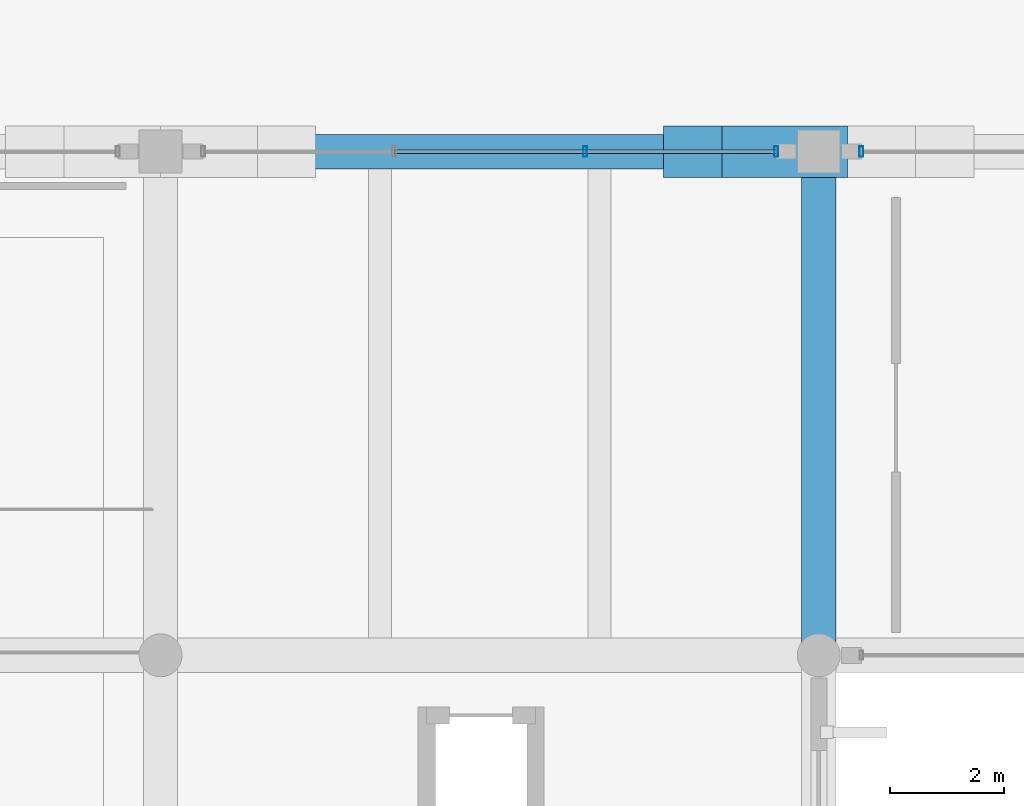
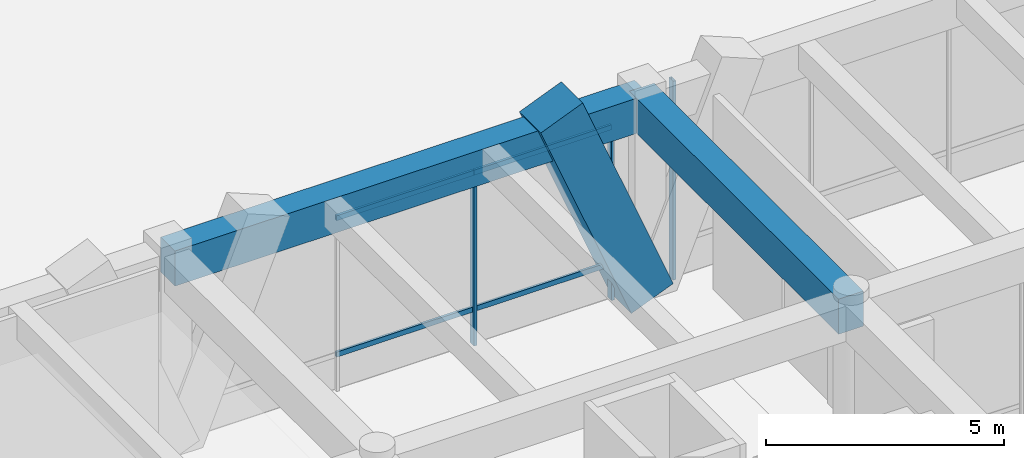
# One storey, part 46 of 148: 8 members, 2 beams, 2 elements without a shape of their own.
"""IFC4 building model written with IfcOpenShell, lengths in metres."""

from ifc_helpers import new_model, si_unit, direction, frame, origin, origin_2d, place, context, subcontext, project, spatial, rectangle, hollow_rectangle, extrude, material, material_profile, profile_set, type_object, element, aggregate, save


model = new_model("IFC4")

# Units and contexts
model_context = context("Model", 3, precision=1e-05, world=origin(), true_north=direction((0.0, 1.0)))
body_context = subcontext(model_context, "Body", "Model", "MODEL_VIEW")
ifc_project = project(units=[si_unit("LENGTHUNIT", "METRE"), si_unit("AREAUNIT", "SQUARE_METRE"), si_unit("VOLUMEUNIT", "CUBIC_METRE"), si_unit("PLANEANGLEUNIT", "RADIAN"), si_unit("MASSUNIT", "GRAM", prefix="KILO")], contexts=[model_context])

# Site, building, storey
site_placement = place(None, origin())
site = spatial("IfcSite", under=ifc_project, at=site_placement, CompositionType="ELEMENT")
building_placement = place(site_placement, origin())
building = spatial("IfcBuilding", under=site, at=building_placement, Name="Ologun Quay Terminus", CompositionType="ELEMENT")
storey_placement = place(building_placement, frame((0.0, 0.0, 8.39990234375)))
storey = spatial("IfcBuildingStorey", under=building, at=storey_placement, Name="L02", CompositionType="ELEMENT", Elevation=8.39990234375)

# Curtain wall, members
ifc_material_1 = material(Name="Aluminium 6063-T6", Category="aluminium")
curtain_wall_type = type_object("IfcCurtainWallType", Name="Train Shed South Clerestory Curtain Wall 10700x5050", PredefinedType="USERDEFINED", material=ifc_material_1)
curtain_wall_1_placement = place(storey_placement, origin())
curtain_wall_1 = element("IfcCurtainWall", 1, at=curtain_wall_1_placement, inside=storey, type_object=curtain_wall_type, Name="CW-08 Curtain Wall CW-L02-064", ObjectType="UNITISED CURTAIN WALL", PredefinedType="USERDEFINED")
ifc_material_2 = material(Name="Aluminium 6063-T6", Category="aluminium")
ifc_material_profile_1 = material_profile(ifc_material_2, hollow_rectangle(XDim=0.070068359375, YDim=0.179931640625, WallThickness=0.0048828125, at=origin_2d()), Name="ALU 180x70x5")
ifc_profile_set_1 = profile_set([ifc_material_profile_1], Name="Aluminium 6063-T6")
member_type_1 = type_object("IfcMemberType", Name="Concourse Clerestory Mullion 180x70", PredefinedType="MULLION", material=ifc_profile_set_1)
member_1_placement = place(storey_placement, frame((122.418212890625, 36.0, 0.0), z_axis=(0.0, 0.0, 1.0), x_axis=(1.0, 0.0, 0.0)))
member_1 = element("IfcMember", 2, at=member_1_placement, type_object=member_type_1, Name="CW-L02-064 Mullion 3", PredefinedType="MULLION", context=body_context, shape_type="SweptSolid", body=[
    extrude(hollow_rectangle(XDim=0.070068359375, YDim=0.179931640625, WallThickness=0.0048828125, at=origin_2d()), origin(), (0.0, 0.0, 1.0), 5.10009765625),
])
member_2_placement = place(storey_placement, frame((125.7548828125, 36.0, 0.0), z_axis=(0.0, 0.0, 1.0), x_axis=(1.0, 0.0, 0.0)))
member_2 = element("IfcMember", 3, at=member_2_placement, type_object=member_type_1, Name="CW-L02-064 Mullion 4", PredefinedType="MULLION", context=body_context, shape_type="SweptSolid", body=[
    extrude(hollow_rectangle(XDim=0.070068359375, YDim=0.179931640625, WallThickness=0.0048828125, at=origin_2d()), origin(), (0.0, 0.0, 1.0), 5.10009765625),
])

# Curtain wall, member
curtain_wall_2_placement = place(storey_placement, origin())
curtain_wall_2 = element("IfcCurtainWall", 4, at=curtain_wall_2_placement, inside=storey, type_object=curtain_wall_type, Name="CW-08 Curtain Wall CW-L02-066", ObjectType="UNITISED CURTAIN WALL", PredefinedType="USERDEFINED")
member_3_placement = place(storey_placement, frame((127.2451171875, 36.0, 0.0), z_axis=(0.0, 0.0, 1.0), x_axis=(1.0, 0.0, 0.0)))
member_3 = element("IfcMember", 5, at=member_3_placement, type_object=member_type_1, Name="CW-L02-066 Mullion 1", PredefinedType="MULLION", context=body_context, shape_type="SweptSolid", body=[
    extrude(hollow_rectangle(XDim=0.070068359375, YDim=0.179931640625, WallThickness=0.0048828125, at=origin_2d()), origin(), (0.0, 0.0, 1.0), 5.10009765625),
])
aggregate(curtain_wall_2, [member_3])

# Member
ifc_material_3 = material(Name="Aluminium 6063-T6", Category="aluminium")
ifc_material_profile_2 = material_profile(ifc_material_3, hollow_rectangle(XDim=0.06005859375, YDim=0.1298828125, WallThickness=0.00390625, at=origin_2d()), Name="ALU 130x60x4")
ifc_profile_set_2 = profile_set([ifc_material_profile_2], Name="Aluminium 6063-T6")
member_type_2 = type_object("IfcMemberType", Name="Concourse Clerestory Transom 130x60", PredefinedType="USERDEFINED", material=ifc_profile_set_2)
member_4_placement = place(storey_placement, frame((119.081787109375, 36.0, 0.900146484375), z_axis=(1.0, 0.0, 0.0), x_axis=(0.0, 1.0, 0.0)))
member_4 = element("IfcMember", 6, at=member_4_placement, type_object=member_type_2, Name="CW-L02-064 Transom B2-1", ObjectType="TRANSOM", PredefinedType="USERDEFINED", context=body_context, shape_type="SweptSolid", body=[
    extrude(hollow_rectangle(XDim=0.06005859375, YDim=0.1298828125, WallThickness=0.00390625, at=origin_2d()), origin(), (0.0, 0.0, 1.0), 3.33642578125),
])

member_5_placement = place(storey_placement, frame((119.081787109375, 36.0, 4.400146484375), z_axis=(1.0, 0.0, 0.0), x_axis=(0.0, 1.0, 0.0)))
member_5 = element("IfcMember", 7, at=member_5_placement, type_object=member_type_2, Name="CW-L02-064 Transom B2-2", ObjectType="TRANSOM", PredefinedType="USERDEFINED", context=body_context, shape_type="SweptSolid", body=[
    extrude(hollow_rectangle(XDim=0.06005859375, YDim=0.1298828125, WallThickness=0.00390625, at=origin_2d()), origin(), (0.0, 0.0, 1.0), 3.33642578125),
])

member_6_placement = place(storey_placement, frame((122.418212890625, 36.0, 0.900146484375), z_axis=(1.0, 0.0, 0.0), x_axis=(0.0, 1.0, 0.0)))
member_6 = element("IfcMember", 8, at=member_6_placement, type_object=member_type_2, Name="CW-L02-064 Transom B3-1", ObjectType="TRANSOM", PredefinedType="USERDEFINED", context=body_context, shape_type="SweptSolid", body=[
    extrude(hollow_rectangle(XDim=0.06005859375, YDim=0.1298828125, WallThickness=0.00390625, at=origin_2d()), origin(), (0.0, 0.0, 1.0), 3.336669921875),
])

member_7_placement = place(storey_placement, frame((122.418212890625, 36.0, 4.400146484375), z_axis=(1.0, 0.0, 0.0), x_axis=(0.0, 1.0, 0.0)))
member_7 = element("IfcMember", 9, at=member_7_placement, type_object=member_type_2, Name="CW-L02-064 Transom B3-2", ObjectType="TRANSOM", PredefinedType="USERDEFINED", context=body_context, shape_type="SweptSolid", body=[
    extrude(hollow_rectangle(XDim=0.06005859375, YDim=0.1298828125, WallThickness=0.00390625, at=origin_2d()), origin(), (0.0, 0.0, 1.0), 3.336669921875),
])

aggregate(curtain_wall_1, [member_1, member_2, member_4, member_5, member_6, member_7])

ifc_material_4 = material(Name="Concrete C45/55", Category="concrete")
ifc_material_profile_3 = material_profile(ifc_material_4, rectangle(XDim=0.89990234375, YDim=1.10009765625, at=origin_2d()), Name="RC 900x1100")
ifc_profile_set_3 = profile_set([ifc_material_profile_3], Name="Concrete C45/55")
member_type_3 = type_object("IfcMemberType", Name="Sculpted Concrete Arch V-Buttress Strut 900x1100", PredefinedType="STRUT", material=ifc_profile_set_3)
member_8_placement = place(storey_placement, frame((126.5, 36.0, 0.0), z_axis=(-0.377280927807, 0.0, 0.926098861631), x_axis=(0.0, -1.0, 0.0)))
element("IfcMember", 10, at=member_8_placement, inside=storey, type_object=member_type_3, Name="VS1 Arch V-Buttress West Limb 12/E", PredefinedType="STRUT", context=body_context, shape_type="SweptSolid", body=[
    extrude(rectangle(XDim=0.89990234375, YDim=1.10009765625, at=origin_2d()), origin(), (0.0, 0.0, 1.0), 5.8310546875),
])

# Beams
ifc_material_5 = material(Name="Concrete C40/50", Category="concrete")
ifc_material_profile_4 = material_profile(ifc_material_5, rectangle(XDim=0.60009765625, YDim=0.89990234375, at=origin_2d()), Name="RC 600x900")
ifc_profile_set_4 = profile_set([ifc_material_profile_4], Name="Concrete C40/50")
beam_type = type_object("IfcBeamType", Name="Station Frame Girder 600x900", PredefinedType="BEAM", material=ifc_profile_set_4)
beam_1_placement = place(storey_placement, frame((115.0, 36.0, 4.7001953125), z_axis=(1.0, 0.0, 0.0), x_axis=(0.0, 1.0, 0.0)))
element("IfcBeam", 11, at=beam_1_placement, inside=storey, type_object=beam_type, Name="B3 Beam 11/E L02", PredefinedType="BEAM", context=body_context, shape_type="SweptSolid", body=[
    extrude(rectangle(XDim=0.60009765625, YDim=0.89990234375, at=origin_2d()), origin(), (0.0, 0.0, 1.0), 11.5),
])
beam_2_placement = place(storey_placement, frame((126.5, 27.199951171875, 4.7001953125), z_axis=(0.0, 1.0, 0.0), x_axis=(-1.0, 0.0, 0.0)))
element("IfcBeam", 12, at=beam_2_placement, inside=storey, type_object=beam_type, Name="B3 Beam 12/D L02", PredefinedType="BEAM", context=body_context, shape_type="SweptSolid", body=[
    extrude(rectangle(XDim=0.60009765625, YDim=0.89990234375, at=origin_2d()), origin(), (0.0, 0.0, 1.0), 8.800048828125),
])

save(model, "model.ifc")
